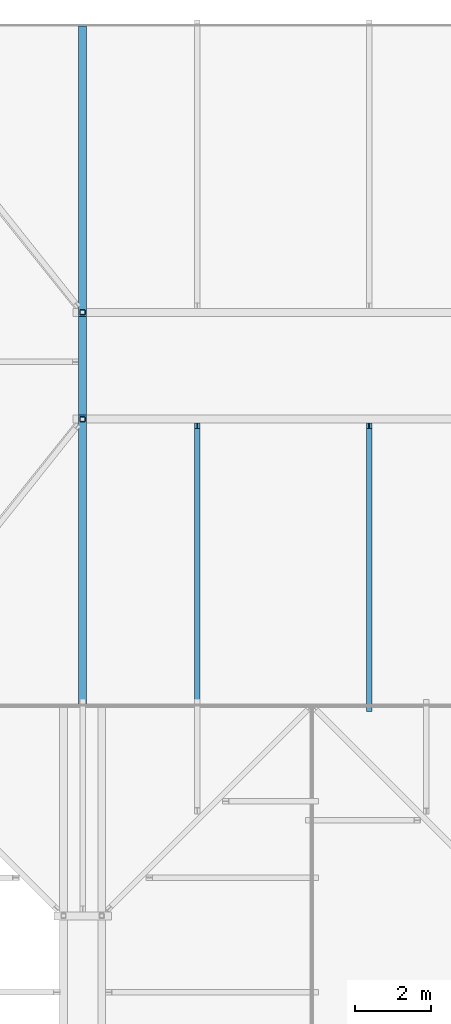
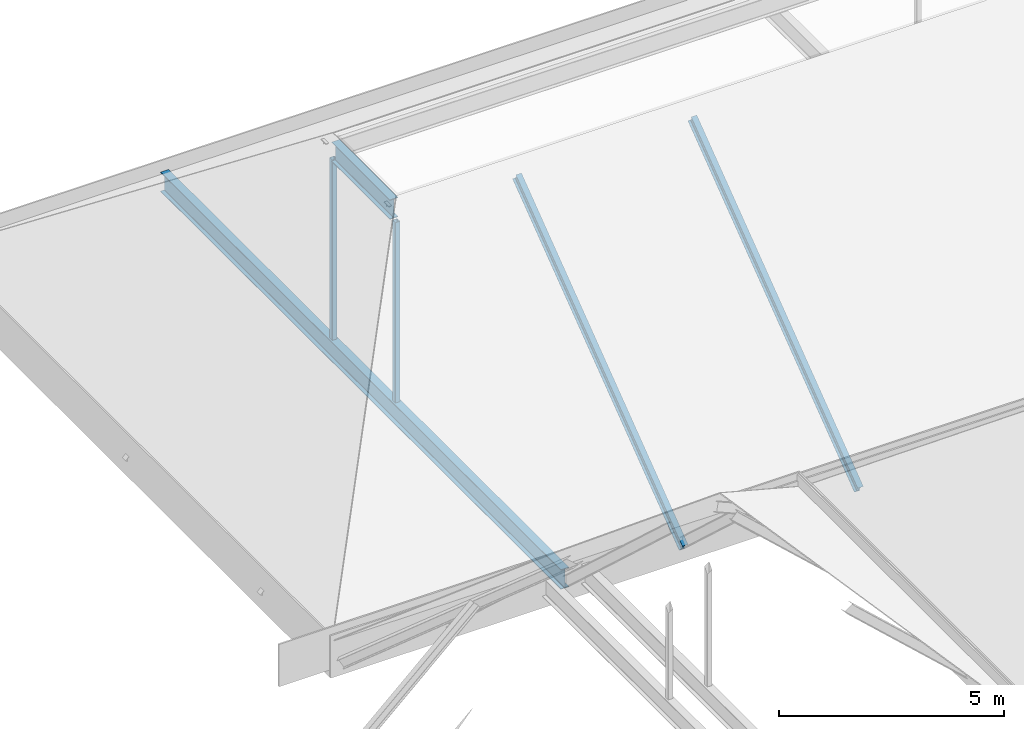
# One storey, part 26 of 57: 4 members, 2 beams.
"""IFC4 building model written with IfcOpenShell, lengths in metres."""

from ifc_helpers import new_model, si_unit, direction, frame, origin, origin_2d, place, context, subcontext, project, spatial, hollow_rectangle, i_section, extrude, material, material_profile, profile_set, type_object, element, save


model = new_model("IFC4")

# Units and contexts
model_context = context("Model", 3, precision=1e-05, world=origin(), true_north=direction((0.0, 1.0)))
body_context = subcontext(model_context, "Body", "Model", "MODEL_VIEW")
ifc_project = project(units=[si_unit("LENGTHUNIT", "METRE"), si_unit("AREAUNIT", "SQUARE_METRE"), si_unit("VOLUMEUNIT", "CUBIC_METRE"), si_unit("PLANEANGLEUNIT", "RADIAN"), si_unit("MASSUNIT", "GRAM", prefix="KILO")], contexts=[model_context])

# Site, building, storey
site_placement = place(None, origin())
site = spatial("IfcSite", under=ifc_project, at=site_placement, CompositionType="ELEMENT")
building_placement = place(site_placement, origin())
building = spatial("IfcBuilding", under=site, at=building_placement, Name="Saffron Lane Theatres", CompositionType="ELEMENT")
storey_placement = place(building_placement, frame((0.0, 0.0, 28.0)))
storey = spatial("IfcBuildingStorey", under=building, at=storey_placement, Name="Upper Roof", CompositionType="ELEMENT", Elevation=28.0)

# Beams
ifc_material_1 = material(Name="Steel Grade 350", Category="steel")
ifc_material_profile_1 = material_profile(ifc_material_1, i_section(OverallWidth=0.208984375, OverallDepth=0.532958984375, WebThickness=0.01025390625, FlangeThickness=0.015625, FilletRadius=0.013916015625, at=origin_2d()))
ifc_profile_set_1 = profile_set([ifc_material_profile_1], Name="Steel Grade 350")
beam_type = type_object("IfcBeamType", Name="ST-CROWN GIRDER 530UB92.4", PredefinedType="BEAM", material=ifc_profile_set_1)
beam_1_placement = place(storey_placement, frame((18.0, 115.6044921875, 5.693115234375), z_axis=(0.0, 1.0, 0.0), x_axis=(-1.0, 0.0, 0.0)))
element("IfcBeam", 1, at=beam_1_placement, inside=storey, type_object=beam_type, Name="BK4-C3", PredefinedType="BEAM", context=body_context, shape_type="SweptSolid", body=[
    extrude(i_section(OverallWidth=0.208984375, OverallDepth=0.532958984375, WebThickness=0.01025390625, FlangeThickness=0.015625, FilletRadius=0.013916015625, at=origin_2d()), origin(), (0.0, 0.0, 1.0), 2.591064453125),
])
beam_2_placement = place(storey_placement, frame((18.0, 108.0, 0.2666015625), z_axis=(0.0, 1.0, 0.0), x_axis=(-1.0, 0.0, 0.0)))
element("IfcBeam", 2, at=beam_2_placement, inside=storey, type_object=beam_type, Name="BK4-G1", PredefinedType="BEAM", context=body_context, shape_type="SweptSolid", body=[
    extrude(i_section(OverallWidth=0.208984375, OverallDepth=0.532958984375, WebThickness=0.01025390625, FlangeThickness=0.015625, FilletRadius=0.013916015625, at=origin_2d()), origin(), (0.0, 0.0, 1.0), 17.800048828125),
])

# Members
ifc_material_2 = material(Name="Steel Grade 350", Category="steel")
ifc_material_profile_2 = material_profile(ifc_material_2, i_section(OverallWidth=0.14599609375, OverallDepth=0.251953125, WebThickness=0.006103515625, FlangeThickness=0.008544921875, FilletRadius=0.011962890625, at=origin_2d()))
ifc_profile_set_2 = profile_set([ifc_material_profile_2], Name="Steel Grade 350")
member_type_1 = type_object("IfcMemberType", Name="ST-JACK RAFTER 250UB31.4", PredefinedType="RAFTER", material=ifc_profile_set_2)
for number, where, z_axis, x_axis, name in (
    (3, (21.0, 107.924072265625, 0.1005859375), (0.0, 0.798250727488, 0.602325307508), (-1.0, 0.0, 0.0), "BK4-K3"),
    (4, (25.5, 107.924072265625, 0.1005859375), (0.0, 0.798250727488, 0.602325307508), (-1.0, 0.0, 0.0), "BK4-K5"),
):
    element("IfcMember", number, at=place(storey_placement, frame(where, z_axis=z_axis, x_axis=x_axis)), inside=storey, type_object=member_type_1, Name=name, PredefinedType="RAFTER", context=body_context, shape_type="SweptSolid", body=[
        extrude(i_section(OverallWidth=0.14599609375, OverallDepth=0.251953125, WebThickness=0.006103515625, FlangeThickness=0.008544921875, FilletRadius=0.011962890625, at=origin_2d()), origin(), (0.0, 0.0, 1.0), 9.279541015625),
    ])
ifc_material_3 = material(Name="Steel Grade 350", Category="steel")
ifc_material_profile_3 = material_profile(ifc_material_3, hollow_rectangle(XDim=0.125, YDim=0.125, WallThickness=0.006103515625, InnerFilletRadius=0.0029296875, OuterFilletRadius=0.009033203125, at=origin_2d()))
ifc_profile_set_3 = profile_set([ifc_material_profile_3], Name="Steel Grade 350")
member_type_2 = type_object("IfcMemberType", Name="ST-STUDIO POST 125x125x6 SHS", PredefinedType="POST", material=ifc_profile_set_3)
for number, where, z_axis, x_axis, name in (
    (5, (18.0, 115.5, 0.532958984375), (0.0, 0.0, 1.0), (1.0, 0.0, 0.0), "BK4-P1-115.5"),
    (6, (18.0, 118.300048828125, 0.532958984375), (0.0, 0.0, 1.0), (1.0, 0.0, 0.0), "BK4-P1-118.3"),
):
    element("IfcMember", number, at=place(storey_placement, frame(where, z_axis=z_axis, x_axis=x_axis)), inside=storey, type_object=member_type_2, Name=name, PredefinedType="POST", context=body_context, shape_type="SweptSolid", body=[
        extrude(hollow_rectangle(XDim=0.125, YDim=0.125, WallThickness=0.006103515625, InnerFilletRadius=0.0029296875, OuterFilletRadius=0.009033203125, at=origin_2d()), origin(), (0.0, 0.0, 1.0), 4.8935546875),
    ])

save(model, "model.ifc")
